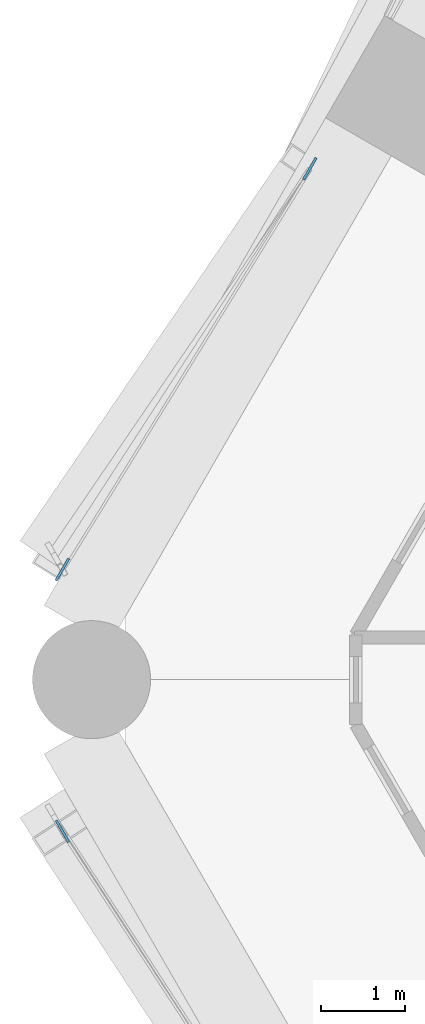
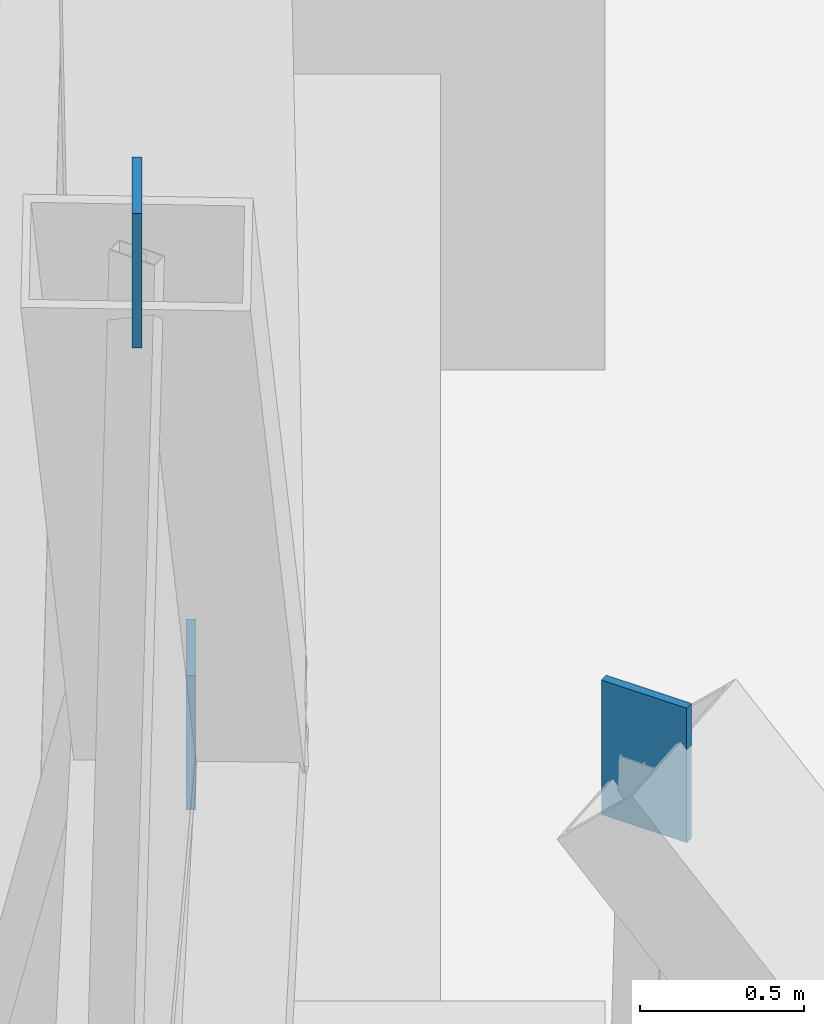
# One storey, part 18 of 22: 3 discrete accessories.
"""IFC4 building model written with IfcOpenShell, lengths in metres."""

from ifc_helpers import new_model, si_unit, direction, frame, origin, origin_2d, place, context, subcontext, project, spatial, rectangle, extrude, material, layer, layer_set, type_object, element, save


model = new_model("IFC4")

# Units and contexts
model_context = context("Model", 3, precision=1e-05, world=origin(), true_north=direction((0.0, 1.0)))
body_context = subcontext(model_context, "Body", "Model", "MODEL_VIEW")
ifc_project = project(units=[si_unit("LENGTHUNIT", "METRE"), si_unit("AREAUNIT", "SQUARE_METRE"), si_unit("VOLUMEUNIT", "CUBIC_METRE"), si_unit("PLANEANGLEUNIT", "RADIAN"), si_unit("MASSUNIT", "GRAM", prefix="KILO")], contexts=[model_context])

# Site, building, storey
site_placement = place(None, origin())
site = spatial("IfcSite", under=ifc_project, at=site_placement, CompositionType="ELEMENT")
building_placement = place(site_placement, origin())
building = spatial("IfcBuilding", under=site, at=building_placement, Name="Ostrander Bayou Hotel Tower", CompositionType="ELEMENT")
storey_placement = place(building_placement, frame((0.0, 0.0, 35.5)))
storey = spatial("IfcBuildingStorey", under=building, at=storey_placement, Name="L08", CompositionType="ELEMENT", Elevation=35.5)

# Discrete accessories
ifc_material = material(Name="Steel ASTM A572 Gr 50", Category="steel")
ifc_layer = layer(ifc_material, 0.030029296875)
ifc_layer_set = layer_set([ifc_layer], Name="GP1 gusset plate 30 mm")
discrete_accessory_type = type_object("IfcDiscreteAccessoryType", Name="GP1 gusset plate 30 mm", PredefinedType="BRACKET", material=ifc_layer_set)
for number, where, z_axis, x_axis, name in (
    (1, (-21.513671875, 6.0576171875, 4.77490234375), (0.0, 0.0, 1.0), (-0.5, -0.866025403784, 0.0), "GP1 gusset plate lat 69"),
    (2, (-24.44677734375, 1.305908203125, 10.39990234375), (0.0, 0.0, 1.0), (-0.5, -0.866025403784, 0.0), "GP1 gusset plate lat 70"),
    (3, (-24.44677734375, -1.797119140625, 10.39990234375), (0.0, 0.0, 1.0), (0.5, -0.866025403784, 0.0), "GP1 gusset plate lat 72"),
):
    element("IfcDiscreteAccessory", number, at=place(storey_placement, frame(where, z_axis=z_axis, x_axis=x_axis)), inside=storey, type_object=discrete_accessory_type, Name=name, PredefinedType="BRACKET", context=body_context, shape_type="SweptSolid", body=[
        extrude(rectangle(XDim=0.300048828125, YDim=0.030029296875, at=origin_2d()), origin(), (0.0, 0.0, 1.0), 0.5),
    ])

save(model, "model.ifc")
